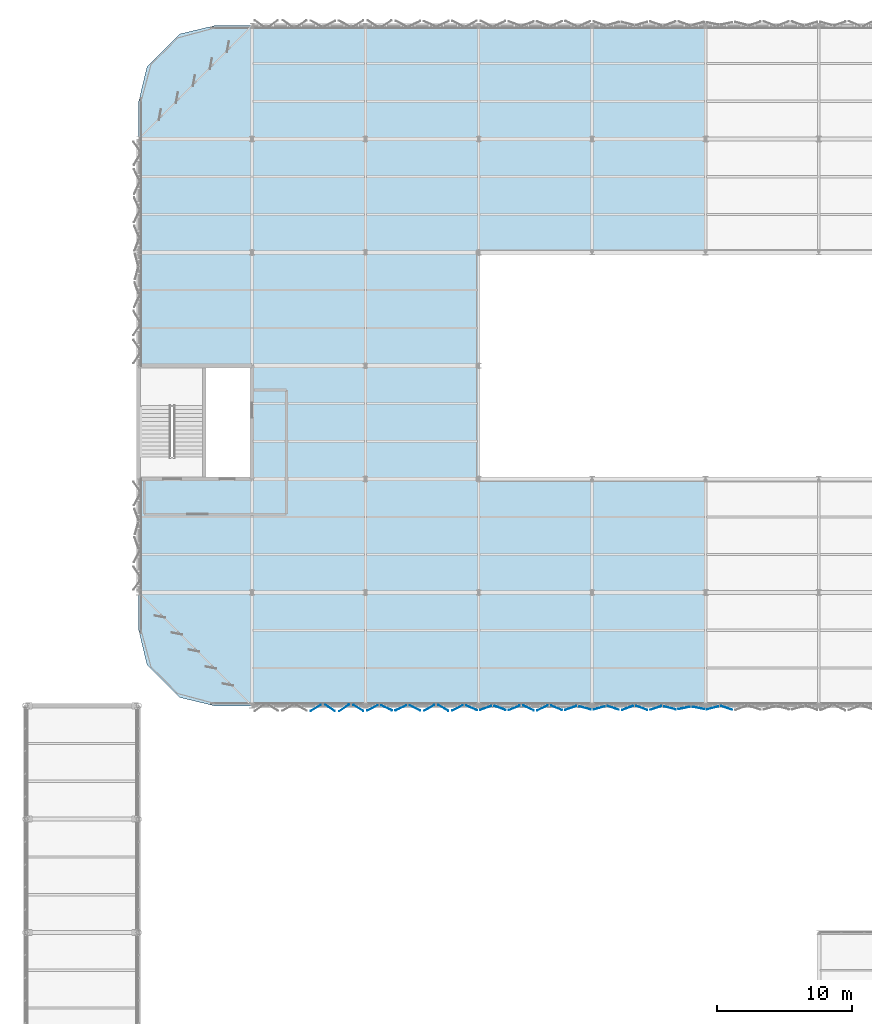
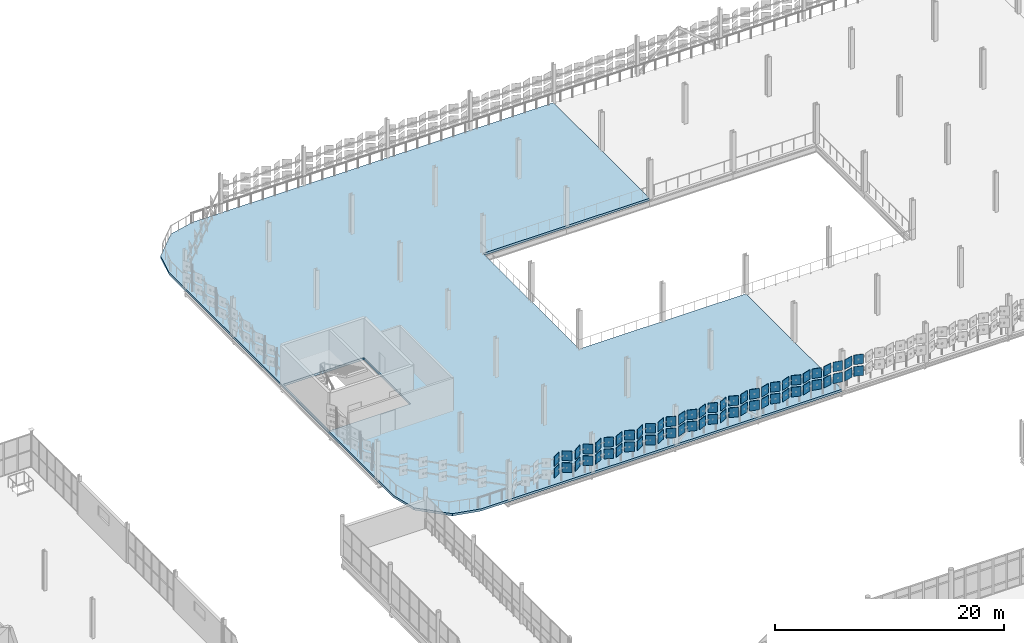
# One storey, part 121 of 163: 60 plates, 1 slab.
"""IFC4 building model written with IfcOpenShell, lengths in metres."""

from ifc_helpers import new_model, si_unit, direction, frame, origin, origin_2d, place, context, subcontext, project, spatial, polyline, rectangle, outline, extrude, material, layer, layer_set, type_object, element, save


model = new_model("IFC4")

# Units and contexts
model_context = context("Model", 3, precision=1e-05, world=origin(), true_north=direction((0.0, 1.0)))
body_context = subcontext(model_context, "Body", "Model", "MODEL_VIEW")
ifc_project = project(units=[si_unit("LENGTHUNIT", "METRE"), si_unit("AREAUNIT", "SQUARE_METRE"), si_unit("VOLUMEUNIT", "CUBIC_METRE"), si_unit("PLANEANGLEUNIT", "RADIAN"), si_unit("MASSUNIT", "GRAM", prefix="KILO")], contexts=[model_context])

# Site, building, storey
site_placement = place(None, origin())
site = spatial("IfcSite", under=ifc_project, at=site_placement, CompositionType="ELEMENT")
building_placement = place(site_placement, origin())
building = spatial("IfcBuilding", under=site, at=building_placement, Name="Qalvenar Corner Mobility Hub", CompositionType="ELEMENT")
storey_placement = place(building_placement, frame((0.0, 0.0, 4.800048828125)))
storey = spatial("IfcBuildingStorey", under=building, at=storey_placement, Name="L01", CompositionType="ELEMENT", Elevation=4.800048828125)

# Plates
ifc_material_1 = material(Name="Terracotta-Ochre Anodised Aluminium", Category="masonry")
ifc_layer_1 = layer(ifc_material_1, 0.033935546875)
ifc_layer_set_1 = layer_set([ifc_layer_1], Name="Terracotta-Ochre Anodised Aluminium")
plate_type = type_object("IfcPlateType", Name="PLT-XC-L1-STD", PredefinedType="SHEET", material=ifc_layer_set_1)
for number, where, z_axis, x_axis, name in (
    (1, (71.925048828125, 67.0400390625, 0.989990234375), (0.0, 0.0, 1.0), (0.855635381204, 0.517579070704, 0.0), "Hinged Facade Panel FP-L01-0009"),
    (2, (71.925048828125, 67.0400390625, 2.239990234375), (0.0, 0.0, 1.0), (0.855635381204, 0.517579070704, 0.0), "Hinged Facade Panel FP-L01-0010"),
    (3, (72.97509765625, 67.0400390625, 0.989990234375), (0.0, 0.0, 1.0), (0.831081548518, -0.556150572878, 0.0), "Hinged Facade Panel FP-L01-0011"),
    (4, (72.97509765625, 67.0400390625, 2.239990234375), (0.0, 0.0, 1.0), (0.831081548518, -0.556150572878, 0.0), "Hinged Facade Panel FP-L01-0012"),
    (5, (74.02490234375, 67.0400390625, 0.989990234375), (0.0, 0.0, 1.0), (0.826982459622, 0.562227722082, 0.0), "Hinged Facade Panel FP-L01-0013"),
    (6, (74.02490234375, 67.0400390625, 2.239990234375), (0.0, 0.0, 1.0), (0.826982459622, 0.562227722082, 0.0), "Hinged Facade Panel FP-L01-0014"),
    (7, (75.074951171875, 67.0400390625, 0.989990234375), (0.0, 0.0, 1.0), (0.851452459024, -0.524431797303, 0.0), "Hinged Facade Panel FP-L01-0015"),
    (8, (75.074951171875, 67.0400390625, 2.239990234375), (0.0, 0.0, 1.0), (0.851452459024, -0.524431797303, 0.0), "Hinged Facade Panel FP-L01-0016"),
    (9, (76.125, 67.0400390625, 0.989990234375), (0.0, 0.0, 1.0), (0.886768940591, 0.462212987705, 0.0), "Hinged Facade Panel FP-L01-0017"),
    (10, (76.125, 67.0400390625, 2.239990234375), (0.0, 0.0, 1.0), (0.886768940591, 0.462212987705, 0.0), "Hinged Facade Panel FP-L01-0018"),
    (11, (77.175048828125, 67.0400390625, 0.989990234375), (0.0, 0.0, 1.0), (0.909599036311, -0.415487175664, 0.0), "Hinged Facade Panel FP-L01-0019"),
    (12, (77.175048828125, 67.0400390625, 2.239990234375), (0.0, 0.0, 1.0), (0.909599036311, -0.415487175664, 0.0), "Hinged Facade Panel FP-L01-0020"),
    (13, (78.22509765625, 67.0400390625, 0.989990234375), (0.0, 0.0, 1.0), (0.9102505596, 0.41405786884, 0.0), "Hinged Facade Panel FP-L01-0021"),
    (14, (78.22509765625, 67.0400390625, 2.239990234375), (0.0, 0.0, 1.0), (0.9102505596, 0.41405786884, 0.0), "Hinged Facade Panel FP-L01-0022"),
    (15, (79.27490234375, 67.0400390625, 0.989990234375), (0.0, 0.0, 1.0), (0.892113171267, -0.451812006981, 0.0), "Hinged Facade Panel FP-L01-0023"),
    (16, (79.27490234375, 67.0400390625, 2.239990234375), (0.0, 0.0, 1.0), (0.892113171267, -0.451812006981, 0.0), "Hinged Facade Panel FP-L01-0024"),
    (17, (80.324951171875, 67.0400390625, 0.989990234375), (0.0, 0.0, 1.0), (0.870699260309, 0.49181581725, 0.0), "Hinged Facade Panel FP-L01-0025"),
    (18, (80.324951171875, 67.0400390625, 2.239990234375), (0.0, 0.0, 1.0), (0.870699260309, 0.49181581725, 0.0), "Hinged Facade Panel FP-L01-0026"),
    (19, (81.375, 67.0400390625, 0.989990234375), (0.0, 0.0, 1.0), (0.867591923867, -0.49727683803, 0.0), "Hinged Facade Panel FP-L01-0027"),
    (20, (81.375, 67.0400390625, 2.239990234375), (0.0, 0.0, 1.0), (0.867591923867, -0.49727683803, 0.0), "Hinged Facade Panel FP-L01-0028"),
    (21, (82.425048828125, 67.0400390625, 0.989990234375), (0.0, 0.0, 1.0), (0.889416373291, 0.457097927059, 0.0), "Hinged Facade Panel FP-L01-0029"),
    (22, (82.425048828125, 67.0400390625, 2.239990234375), (0.0, 0.0, 1.0), (0.889416373291, 0.457097927059, 0.0), "Hinged Facade Panel FP-L01-0030"),
    (23, (83.47509765625, 67.0400390625, 0.989990234375), (0.0, 0.0, 1.0), (0.919821497322, -0.392337116604, 0.0), "Hinged Facade Panel FP-L01-0031"),
    (24, (83.47509765625, 67.0400390625, 2.239990234375), (0.0, 0.0, 1.0), (0.919821497322, -0.392337116604, 0.0), "Hinged Facade Panel FP-L01-0032"),
    (25, (84.52490234375, 67.0400390625, 0.989990234375), (0.0, 0.0, 1.0), (0.938793994893, 0.34447907796, 0.0), "Hinged Facade Panel FP-L01-0033"),
    (26, (84.52490234375, 67.0400390625, 2.239990234375), (0.0, 0.0, 1.0), (0.938793994893, 0.34447907796, 0.0), "Hinged Facade Panel FP-L01-0034"),
    (27, (85.574951171875, 67.0400390625, 0.989990234375), (0.0, 0.0, 1.0), (0.938974235021, -0.343987479376, 0.0), "Hinged Facade Panel FP-L01-0035"),
    (28, (85.574951171875, 67.0400390625, 2.239990234375), (0.0, 0.0, 1.0), (0.938974235021, -0.343987479376, 0.0), "Hinged Facade Panel FP-L01-0036"),
    (29, (86.625, 67.0400390625, 0.989990234375), (0.0, 0.0, 1.0), (0.923545226472, 0.383489523534, 0.0), "Hinged Facade Panel FP-L01-0037"),
    (30, (86.625, 67.0400390625, 2.239990234375), (0.0, 0.0, 1.0), (0.923545226472, 0.383489523534, 0.0), "Hinged Facade Panel FP-L01-0038"),
    (31, (87.675048828125, 67.0400390625, 0.989990234375), (0.0, 0.0, 1.0), (0.90534656459, -0.42467351929, 0.0), "Hinged Facade Panel FP-L01-0039"),
    (32, (87.675048828125, 67.0400390625, 2.239990234375), (0.0, 0.0, 1.0), (0.90534656459, -0.42467351929, 0.0), "Hinged Facade Panel FP-L01-0040"),
    (33, (88.72509765625, 67.0400390625, 0.989990234375), (0.0, 0.0, 1.0), (0.903035619536, 0.429565675827, 0.0), "Hinged Facade Panel FP-L01-0041"),
    (34, (88.72509765625, 67.0400390625, 2.239990234375), (0.0, 0.0, 1.0), (0.903035619536, 0.429565675827, 0.0), "Hinged Facade Panel FP-L01-0042"),
    (35, (89.77490234375, 67.0400390625, 0.989990234375), (0.0, 0.0, 1.0), (0.92213346383, -0.386871910179, 0.0), "Hinged Facade Panel FP-L01-0043"),
    (36, (89.77490234375, 67.0400390625, 2.239990234375), (0.0, 0.0, 1.0), (0.92213346383, -0.386871910179, 0.0), "Hinged Facade Panel FP-L01-0044"),
    (37, (90.824951171875, 67.0400390625, 0.989990234375), (0.0, 0.0, 1.0), (0.947433876991, 0.319951634986, 0.0), "Hinged Facade Panel FP-L01-0045"),
    (38, (90.824951171875, 67.0400390625, 2.239990234375), (0.0, 0.0, 1.0), (0.947433876991, 0.319951634986, 0.0), "Hinged Facade Panel FP-L01-0046"),
    (39, (91.875, 67.0400390625, 0.989990234375), (0.0, 0.0, 1.0), (0.962407846499, -0.271608425858, 0.0), "Hinged Facade Panel FP-L01-0047"),
    (40, (91.875, 67.0400390625, 2.239990234375), (0.0, 0.0, 1.0), (0.962407846499, -0.271608425858, 0.0), "Hinged Facade Panel FP-L01-0048"),
    (41, (92.925048828125, 67.0400390625, 0.989990234375), (0.0, 0.0, 1.0), (0.962265500742, 0.272112304173, 0.0), "Hinged Facade Panel FP-L01-0049"),
    (42, (92.925048828125, 67.0400390625, 2.239990234375), (0.0, 0.0, 1.0), (0.962265500742, 0.272112304173, 0.0), "Hinged Facade Panel FP-L01-0050"),
    (43, (93.97509765625, 67.0400390625, 0.989990234375), (0.0, 0.0, 1.0), (0.949753769132, -0.312998047948, 0.0), "Hinged Facade Panel FP-L01-0051"),
    (44, (93.97509765625, 67.0400390625, 2.239990234375), (0.0, 0.0, 1.0), (0.949753769132, -0.312998047948, 0.0), "Hinged Facade Panel FP-L01-0052"),
    (45, (95.02490234375, 67.0400390625, 0.989990234375), (0.0, 0.0, 1.0), (0.934825676396, 0.355106962408, 0.0), "Hinged Facade Panel FP-L01-0053"),
    (46, (95.02490234375, 67.0400390625, 2.239990234375), (0.0, 0.0, 1.0), (0.934825676396, 0.355106962408, 0.0), "Hinged Facade Panel FP-L01-0054"),
    (47, (96.074951171875, 67.0400390625, 0.989990234375), (0.0, 0.0, 1.0), (0.933267336023, -0.359182515599, 0.0), "Hinged Facade Panel FP-L01-0055"),
    (48, (96.074951171875, 67.0400390625, 2.239990234375), (0.0, 0.0, 1.0), (0.933267336023, -0.359182515599, 0.0), "Hinged Facade Panel FP-L01-0056"),
    (49, (97.125, 67.0400390625, 0.989990234375), (0.0, 0.0, 1.0), (0.949260941439, 0.314489530921, 0.0), "Hinged Facade Panel FP-L01-0057"),
    (50, (97.125, 67.0400390625, 2.239990234375), (0.0, 0.0, 1.0), (0.949260941439, 0.314489530921, 0.0), "Hinged Facade Panel FP-L01-0058"),
    (51, (98.175048828125, 67.0400390625, 0.989990234375), (0.0, 0.0, 1.0), (0.969359662404, -0.245645771192, 0.0), "Hinged Facade Panel FP-L01-0059"),
    (52, (98.175048828125, 67.0400390625, 2.239990234375), (0.0, 0.0, 1.0), (0.969359662404, -0.245645771192, 0.0), "Hinged Facade Panel FP-L01-0060"),
    (53, (99.22509765625, 67.0400390625, 0.989990234375), (0.0, 0.0, 1.0), (0.980374533385, 0.197144044521, 0.0), "Hinged Facade Panel FP-L01-0061"),
    (54, (99.22509765625, 67.0400390625, 2.239990234375), (0.0, 0.0, 1.0), (0.980374533385, 0.197144044521, 0.0), "Hinged Facade Panel FP-L01-0062"),
    (55, (100.27490234375, 67.0400390625, 0.989990234375), (0.0, 0.0, 1.0), (0.980098312815, -0.198512712986, 0.0), "Hinged Facade Panel FP-L01-0063"),
    (56, (100.27490234375, 67.0400390625, 2.239990234375), (0.0, 0.0, 1.0), (0.980098312815, -0.198512712986, 0.0), "Hinged Facade Panel FP-L01-0064"),
    (57, (101.324951171875, 67.0400390625, 0.989990234375), (0.0, 0.0, 1.0), (0.967884912253, 0.251393708421, 0.0), "Hinged Facade Panel FP-L01-0065"),
    (58, (101.324951171875, 67.0400390625, 2.239990234375), (0.0, 0.0, 1.0), (0.967884912253, 0.251393708421, 0.0), "Hinged Facade Panel FP-L01-0066"),
    (59, (102.375, 67.0400390625, 0.989990234375), (0.0, 0.0, 1.0), (0.949206038203, -0.314655203419, 0.0), "Hinged Facade Panel FP-L01-0067"),
    (60, (102.375, 67.0400390625, 2.239990234375), (0.0, 0.0, 1.0), (0.949206038203, -0.314655203419, 0.0), "Hinged Facade Panel FP-L01-0068"),
):
    element("IfcPlate", number, at=place(storey_placement, frame(where, z_axis=z_axis, x_axis=x_axis)), inside=storey, type_object=plate_type, Name=name, PredefinedType="SHEET", context=body_context, shape_type="SweptSolid", body=[
        extrude(rectangle(XDim=0.860107421875, YDim=0.033935546875, at=origin_2d()), origin(), (0.0, 0.0, 1.0), 1.02001953125),
    ])

# Slab
ifc_material_2 = material(Name="Concrete C35/45", Category="concrete")
ifc_layer_2 = layer(ifc_material_2, 0.239990234375)
ifc_layer_set_2 = layer_set([ifc_layer_2], Name="Concrete C35/45")
slab_type = type_object("IfcSlabType", Name="SLB-COMP200", PredefinedType="FLOOR", material=ifc_layer_set_2)
slab_placement = place(storey_placement, frame((0.0, 0.0, -0.239990234375)))
element("IfcSlab", 61, at=slab_placement, inside=storey, type_object=slab_type, Name="Composite Deck V4-W-L01", PredefinedType="FLOOR", context=body_context, shape_type="SweptSolid", body=[
    extrude(outline(polyline([(64.39990234375, 67.199951171875), (100.800048828125, 67.199951171875), (100.800048828125, 84.0), (84.0, 84.0), (84.0, 100.800048828125), (100.800048828125, 100.800048828125), (100.800048828125, 117.60009765625), (64.39990234375, 117.60009765625), (61.857666015625, 116.989501953125), (59.410400390625, 114.542236328125), (58.800048828125, 112.0), (58.800048828125, 72.800048828125), (59.410400390625, 70.2578125), (61.857666015625, 67.810302734375), (64.39990234375, 67.199951171875)]), holes=[polyline([(58.929931640625, 84.1298828125), (67.070068359375, 84.1298828125), (67.070068359375, 92.27001953125), (58.929931640625, 92.27001953125), (58.929931640625, 84.1298828125)])]), origin(), (0.0, 0.0, 1.0), 0.239990234375),
])

save(model, "model.ifc")
